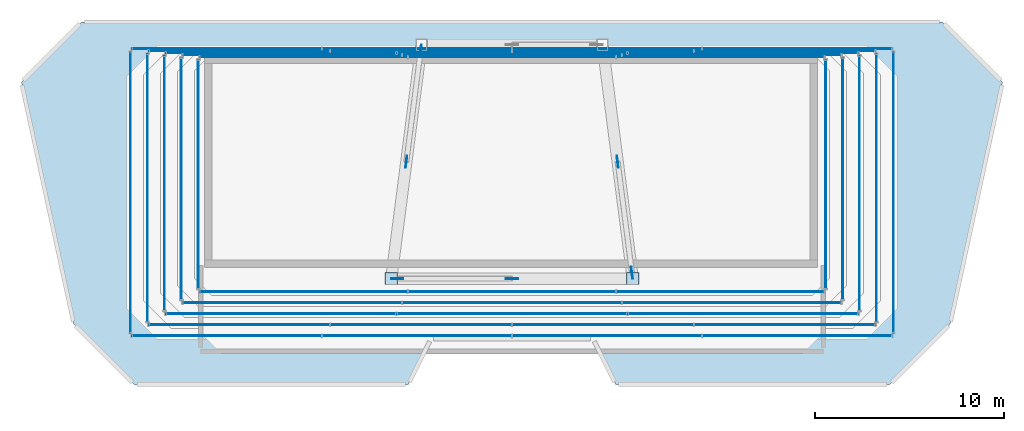
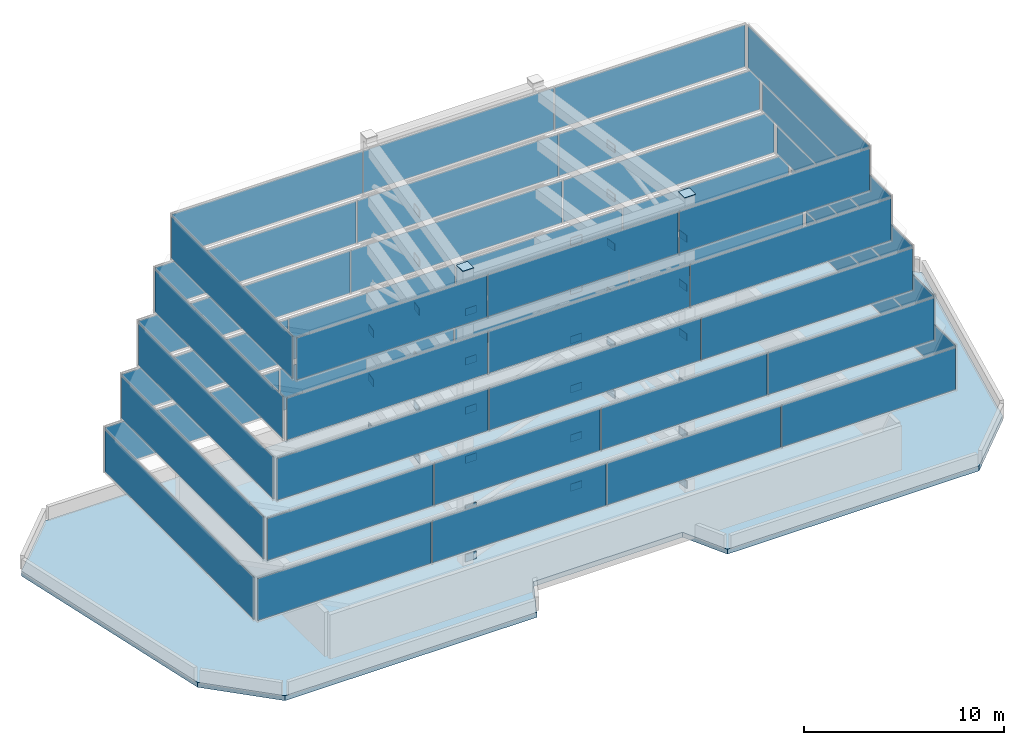
# One storey, part 27 of 29: 79 plates, 1 slab, 20 elements without a shape of their own.
"""IFC4 building model written with IfcOpenShell, lengths in metres."""

from ifc_helpers import new_model, si_unit, direction, frame, origin, origin_2d, place, context, subcontext, project, spatial, polyline, rectangle, outline, extrude, material, layer, layer_set, type_object, element, aggregate, save


model = new_model("IFC4")

# Units and contexts
model_context = context("Model", 3, precision=1e-05, world=origin(), true_north=direction((0.0, 1.0)))
body_context = subcontext(model_context, "Body", "Model", "MODEL_VIEW")
ifc_project = project(units=[si_unit("LENGTHUNIT", "METRE"), si_unit("AREAUNIT", "SQUARE_METRE"), si_unit("VOLUMEUNIT", "CUBIC_METRE"), si_unit("PLANEANGLEUNIT", "RADIAN"), si_unit("MASSUNIT", "GRAM", prefix="KILO")], contexts=[model_context])

# Site, building, storey
site_placement = place(None, origin())
site = spatial("IfcSite", under=ifc_project, at=site_placement, CompositionType="ELEMENT")
building_placement = place(site_placement, origin())
building = spatial("IfcBuilding", under=site, at=building_placement, Name="Saevonmaru Cultural Tower", CompositionType="ELEMENT")
storey_placement = place(building_placement, frame((0.0, 0.0, 327.60009765625)))
storey = spatial("IfcBuildingStorey", under=building, at=storey_placement, Name="RF", CompositionType="ELEMENT", Elevation=327.60009765625)

# Plates
ifc_material_1 = material(Name="Steel HSA600 (600 MPa)", Category="steel")
ifc_layer_1 = layer(ifc_material_1, 0.0400390625, Name="Steel HSA600 (600 MPa)")
ifc_layer_set_1 = layer_set([ifc_layer_1], Name="Steel HSA600 (600 MPa)")
plate_type_1 = type_object("IfcPlateType", Name="PL-CAP-CROWN-600", PredefinedType="USERDEFINED", material=ifc_layer_set_1)
for number, where, z_axis, x_axis, name in (
    (1, (23.60009765625, 42.39990234375, 17.994873046875), (0.0, 0.0, 1.0), (1.0, 0.0, 0.0), "RF Crown Frame Cap Plate T6-1"),
    (2, (36.39990234375, 42.39990234375, 17.994873046875), (0.0, 0.0, 1.0), (1.0, 0.0, 0.0), "RF Crown Frame Cap Plate T6-2"),
):
    element("IfcPlate", number, at=place(storey_placement, frame(where, z_axis=z_axis, x_axis=x_axis)), inside=storey, type_object=plate_type_1, Name=name, ObjectType="CAP_PLATE", PredefinedType="USERDEFINED", context=body_context, shape_type="SweptSolid", body=[
        extrude(rectangle(XDim=0.639892578125, YDim=0.639892578125, at=origin_2d()), origin(), (0.0, 0.0, 1.0), 0.0400390625),
    ])
ifc_layer_2 = layer(ifc_material_1, 0.0400390625, Name="Steel HSA600 (600 MPa)")
ifc_layer_set_2 = layer_set([ifc_layer_2], Name="Steel HSA600 (600 MPa)")
plate_type_2 = type_object("IfcPlateType", Name="PL-GUSSET-EXT", PredefinedType="USERDEFINED", material=ifc_layer_set_2)
for number, where, z_axis, x_axis, name in (
    (3, (23.919921875, 42.39990234375, 0.0), (0.0, 0.0, 1.0), (1.0, 0.0, 0.0), "RF Crown Frame Gusset Plate T1-1-B"),
    (4, (30.0, 42.39990234375, 2.179931640625), (0.0, 0.0, 1.0), (1.0, 0.0, 0.0), "RF Crown Frame Gusset Plate T1-1-T"),
    (5, (36.35888671875, 42.717041015625, 0.0), (0.0, 0.0, 1.0), (-0.127964770988, 0.991778713921, 0.0), "RF Crown Frame Gusset Plate T1-2-B"),
    (6, (35.60009765625, 48.60009765625, 2.179931640625), (0.0, 0.0, 1.0), (-0.127964770988, 0.991778713921, 0.0), "RF Crown Frame Gusset Plate T1-2-T"),
    (7, (25.158935546875, 54.48291015625, 0.0), (0.0, 0.0, 1.0), (-0.127964770988, -0.991778713921, 0.0), "RF Crown Frame Gusset Plate T1-4-B"),
    (8, (24.39990234375, 48.60009765625, 2.179931640625), (0.0, 0.0, 1.0), (-0.127964770988, -0.991778713921, 0.0), "RF Crown Frame Gusset Plate T1-4-T"),
    (9, (23.919921875, 42.39990234375, 3.0), (0.0, 0.0, 1.0), (1.0, 0.0, 0.0), "RF Crown Frame Gusset Plate T2-1-B"),
    (10, (30.0, 42.39990234375, 5.179931640625), (0.0, 0.0, 1.0), (1.0, 0.0, 0.0), "RF Crown Frame Gusset Plate T2-1-T"),
    (11, (36.35888671875, 42.717041015625, 3.0), (0.0, 0.0, 1.0), (-0.127964770988, 0.991778713921, 0.0), "RF Crown Frame Gusset Plate T2-2-B"),
    (12, (35.60009765625, 48.60009765625, 5.179931640625), (0.0, 0.0, 1.0), (-0.127964770988, 0.991778713921, 0.0), "RF Crown Frame Gusset Plate T2-2-T"),
    (13, (25.158935546875, 54.48291015625, 3.0), (0.0, 0.0, 1.0), (-0.127964770988, -0.991778713921, 0.0), "RF Crown Frame Gusset Plate T2-4-B"),
    (14, (24.39990234375, 48.60009765625, 5.179931640625), (0.0, 0.0, 1.0), (-0.127964770988, -0.991778713921, 0.0), "RF Crown Frame Gusset Plate T2-4-T"),
    (15, (23.919921875, 42.39990234375, 6.0), (0.0, 0.0, 1.0), (1.0, 0.0, 0.0), "RF Crown Frame Gusset Plate T3-1-B"),
    (16, (30.0, 42.39990234375, 8.179931640625), (0.0, 0.0, 1.0), (1.0, 0.0, 0.0), "RF Crown Frame Gusset Plate T3-1-T"),
    (17, (36.35888671875, 42.717041015625, 6.0), (0.0, 0.0, 1.0), (-0.127964770988, 0.991778713921, 0.0), "RF Crown Frame Gusset Plate T3-2-B"),
    (18, (35.60009765625, 48.60009765625, 8.179931640625), (0.0, 0.0, 1.0), (-0.127964770988, 0.991778713921, 0.0), "RF Crown Frame Gusset Plate T3-2-T"),
    (19, (25.158935546875, 54.48291015625, 6.0), (0.0, 0.0, 1.0), (-0.127964770988, -0.991778713921, 0.0), "RF Crown Frame Gusset Plate T3-4-B"),
    (20, (24.39990234375, 48.60009765625, 8.179931640625), (0.0, 0.0, 1.0), (-0.127964770988, -0.991778713921, 0.0), "RF Crown Frame Gusset Plate T3-4-T"),
    (21, (23.919921875, 42.39990234375, 9.0), (0.0, 0.0, 1.0), (1.0, 0.0, 0.0), "RF Crown Frame Gusset Plate T4-1-B"),
    (22, (30.0, 42.39990234375, 11.179931640625), (0.0, 0.0, 1.0), (1.0, 0.0, 0.0), "RF Crown Frame Gusset Plate T4-1-T"),
    (23, (36.35888671875, 42.717041015625, 9.0), (0.0, 0.0, 1.0), (-0.127964770988, 0.991778713921, 0.0), "RF Crown Frame Gusset Plate T4-2-B"),
    (24, (35.60009765625, 48.60009765625, 11.179931640625), (0.0, 0.0, 1.0), (-0.127964770988, 0.991778713921, 0.0), "RF Crown Frame Gusset Plate T4-2-T"),
    (25, (24.39990234375, 48.60009765625, 11.179931640625), (0.0, 0.0, 1.0), (-0.127964770988, -0.991778713921, 0.0), "RF Crown Frame Gusset Plate T4-4-T"),
    (26, (23.919921875, 42.39990234375, 12.0), (0.0, 0.0, 1.0), (1.0, 0.0, 0.0), "RF Crown Frame Gusset Plate T5-1-B"),
    (27, (30.0, 42.39990234375, 14.179931640625), (0.0, 0.0, 1.0), (1.0, 0.0, 0.0), "RF Crown Frame Gusset Plate T5-1-T"),
    (28, (36.35888671875, 42.717041015625, 12.0), (0.0, 0.0, 1.0), (-0.127964770988, 0.991778713921, 0.0), "RF Crown Frame Gusset Plate T5-2-B"),
    (29, (35.60009765625, 48.60009765625, 14.179931640625), (0.0, 0.0, 1.0), (-0.127964770988, 0.991778713921, 0.0), "RF Crown Frame Gusset Plate T5-2-T"),
    (30, (24.39990234375, 48.60009765625, 14.179931640625), (0.0, 0.0, 1.0), (-0.127964770988, -0.991778713921, 0.0), "RF Crown Frame Gusset Plate T5-4-T"),
    (31, (23.919921875, 42.39990234375, 15.0), (0.0, 0.0, 1.0), (1.0, 0.0, 0.0), "RF Crown Frame Gusset Plate T6-1-B"),
    (32, (30.0, 42.39990234375, 17.179931640625), (0.0, 0.0, 1.0), (1.0, 0.0, 0.0), "RF Crown Frame Gusset Plate T6-1-T"),
    (33, (36.35888671875, 42.717041015625, 15.0), (0.0, 0.0, 1.0), (-0.127964770988, 0.991778713921, 0.0), "RF Crown Frame Gusset Plate T6-2-B"),
    (34, (35.60009765625, 48.60009765625, 17.179931640625), (0.0, 0.0, 1.0), (-0.127964770988, 0.991778713921, 0.0), "RF Crown Frame Gusset Plate T6-2-T"),
    (35, (24.39990234375, 48.60009765625, 17.179931640625), (0.0, 0.0, 1.0), (-0.127964770988, -0.991778713921, 0.0), "RF Crown Frame Gusset Plate T6-4-T"),
):
    element("IfcPlate", number, at=place(storey_placement, frame(where, z_axis=z_axis, x_axis=x_axis)), inside=storey, type_object=plate_type_2, Name=name, ObjectType="GUSSET_PLATE", PredefinedType="USERDEFINED", context=body_context, shape_type="SweptSolid", body=[
        extrude(rectangle(XDim=0.639892578125, YDim=0.0400390625, at=origin_2d()), origin(), (0.0, 0.0, 1.0), 0.43994140625),
    ])

# Curtain wall, plates
ifc_material_2 = material(Name="Satin Bronze Anodised Aluminium", Category="aluminium")
curtain_wall_type = type_object("IfcCurtainWallType", Name="CW-TYP-B", PredefinedType="NOTDEFINED", material=ifc_material_2)
curtain_wall_1_placement = place(storey_placement, origin())
curtain_wall_1 = element("IfcCurtainWall", 36, at=curtain_wall_1_placement, inside=storey, type_object=curtain_wall_type, Name="RF Ziggurat Crown Tier 2 Bronze Louvre Screen 1", PredefinedType="NOTDEFINED")
ifc_layer_3 = layer(ifc_material_2, 0.074951171875, Name="Satin Bronze Anodised Aluminium")
ifc_layer_set_3 = layer_set([ifc_layer_3], Name="Satin Bronze Anodised Aluminium")
plate_type_3 = type_object("IfcPlateType", Name="PN-LOUVRE-CROWN", PredefinedType="CURTAIN_PANEL", material=ifc_layer_set_3)
plate_1_placement = place(storey_placement, frame((14.874755859375, 39.3701171875, 3.06689453125), z_axis=(0.0, 0.0, 1.0), x_axis=(1.0, 0.0, 0.0)))
plate_1 = element("IfcPlate", 37, at=plate_1_placement, type_object=plate_type_3, Name="CW-CROWN-T2-1 panel 1.1", PredefinedType="CURTAIN_PANEL", context=body_context, shape_type="SweptSolid", body=[
    extrude(rectangle(XDim=10.014404296875, YDim=0.035888671875, at=origin_2d()), origin(), (0.0, 0.0, 1.0), 2.56591796875),
])
plate_2_placement = place(storey_placement, frame((24.958251953125, 39.3701171875, 3.06689453125), z_axis=(0.0, 0.0, 1.0), x_axis=(1.0, 0.0, 0.0)))
plate_2 = element("IfcPlate", 38, at=plate_2_placement, type_object=plate_type_3, Name="CW-CROWN-T2-1 panel 2.1", PredefinedType="CURTAIN_PANEL", context=body_context, shape_type="SweptSolid", body=[
    extrude(rectangle(XDim=10.014404296875, YDim=0.035888671875, at=origin_2d()), origin(), (0.0, 0.0, 1.0), 2.56591796875),
])
plate_3_placement = place(storey_placement, frame((35.041748046875, 39.3701171875, 3.06689453125), z_axis=(0.0, 0.0, 1.0), x_axis=(1.0, 0.0, 0.0)))
plate_3 = element("IfcPlate", 39, at=plate_3_placement, type_object=plate_type_3, Name="CW-CROWN-T2-1 panel 3.1", PredefinedType="CURTAIN_PANEL", context=body_context, shape_type="SweptSolid", body=[
    extrude(rectangle(XDim=10.014404296875, YDim=0.035888671875, at=origin_2d()), origin(), (0.0, 0.0, 1.0), 2.56591796875),
])
plate_4_placement = place(storey_placement, frame((45.125244140625, 39.3701171875, 3.06689453125), z_axis=(0.0, 0.0, 1.0), x_axis=(1.0, 0.0, 0.0)))
plate_4 = element("IfcPlate", 40, at=plate_4_placement, type_object=plate_type_3, Name="CW-CROWN-T2-1 panel 4.1", PredefinedType="CURTAIN_PANEL", context=body_context, shape_type="SweptSolid", body=[
    extrude(rectangle(XDim=10.014404296875, YDim=0.035888671875, at=origin_2d()), origin(), (0.0, 0.0, 1.0), 2.56591796875),
])
aggregate(curtain_wall_1, [plate_1, plate_2, plate_3, plate_4])

# Curtain wall, plate
curtain_wall_2_placement = place(storey_placement, origin())
curtain_wall_2 = element("IfcCurtainWall", 41, at=curtain_wall_2_placement, inside=storey, type_object=curtain_wall_type, Name="RF Ziggurat Crown Tier 2 Bronze Louvre Screen 2", PredefinedType="NOTDEFINED")
plate_5_placement = place(storey_placement, frame((50.22705078125, 46.97705078125, 3.06689453125), z_axis=(0.0, 0.0, 1.0), x_axis=(0.0, 1.0, 0.0)))
plate_5 = element("IfcPlate", 42, at=plate_5_placement, type_object=plate_type_3, Name="CW-CROWN-T2-2 panel 1.1", PredefinedType="CURTAIN_PANEL", context=body_context, shape_type="SweptSolid", body=[
    extrude(rectangle(XDim=14.864990234375, YDim=0.035888671875, at=origin_2d()), origin(), (0.0, 0.0, 1.0), 2.56591796875),
])
aggregate(curtain_wall_2, [plate_5])

# Curtain wall, plates
curtain_wall_3_placement = place(storey_placement, origin())
curtain_wall_3 = element("IfcCurtainWall", 43, at=curtain_wall_3_placement, inside=storey, type_object=curtain_wall_type, Name="RF Ziggurat Crown Tier 2 Bronze Louvre Screen 3", PredefinedType="NOTDEFINED")
plate_6_placement = place(storey_placement, frame((45.125244140625, 54.583984375, 3.06689453125), z_axis=(0.0, 0.0, 1.0), x_axis=(-1.0, 0.0, 0.0)))
plate_6 = element("IfcPlate", 44, at=plate_6_placement, type_object=plate_type_3, Name="CW-CROWN-T2-3 panel 1.1", PredefinedType="CURTAIN_PANEL", context=body_context, shape_type="SweptSolid", body=[
    extrude(rectangle(XDim=10.014404296875, YDim=0.035888671875, at=origin_2d()), origin(), (0.0, 0.0, 1.0), 2.56591796875),
])
plate_7_placement = place(storey_placement, frame((35.041748046875, 54.583984375, 3.06689453125), z_axis=(0.0, 0.0, 1.0), x_axis=(-1.0, 0.0, 0.0)))
plate_7 = element("IfcPlate", 45, at=plate_7_placement, type_object=plate_type_3, Name="CW-CROWN-T2-3 panel 2.1", PredefinedType="CURTAIN_PANEL", context=body_context, shape_type="SweptSolid", body=[
    extrude(rectangle(XDim=10.014404296875, YDim=0.035888671875, at=origin_2d()), origin(), (0.0, 0.0, 1.0), 2.56591796875),
])
plate_8_placement = place(storey_placement, frame((24.958251953125, 54.583984375, 3.06689453125), z_axis=(0.0, 0.0, 1.0), x_axis=(-1.0, 0.0, 0.0)))
plate_8 = element("IfcPlate", 46, at=plate_8_placement, type_object=plate_type_3, Name="CW-CROWN-T2-3 panel 3.1", PredefinedType="CURTAIN_PANEL", context=body_context, shape_type="SweptSolid", body=[
    extrude(rectangle(XDim=10.014404296875, YDim=0.035888671875, at=origin_2d()), origin(), (0.0, 0.0, 1.0), 2.56591796875),
])
plate_9_placement = place(storey_placement, frame((14.874755859375, 54.583984375, 3.06689453125), z_axis=(0.0, 0.0, 1.0), x_axis=(-1.0, 0.0, 0.0)))
plate_9 = element("IfcPlate", 47, at=plate_9_placement, type_object=plate_type_3, Name="CW-CROWN-T2-3 panel 4.1", PredefinedType="CURTAIN_PANEL", context=body_context, shape_type="SweptSolid", body=[
    extrude(rectangle(XDim=10.014404296875, YDim=0.035888671875, at=origin_2d()), origin(), (0.0, 0.0, 1.0), 2.56591796875),
])
aggregate(curtain_wall_3, [plate_6, plate_7, plate_8, plate_9])

# Curtain wall, plate
curtain_wall_4_placement = place(storey_placement, origin())
curtain_wall_4 = element("IfcCurtainWall", 48, at=curtain_wall_4_placement, inside=storey, type_object=curtain_wall_type, Name="RF Ziggurat Crown Tier 2 Bronze Louvre Screen 4", PredefinedType="NOTDEFINED")
plate_10_placement = place(storey_placement, frame((9.77294921875, 46.97705078125, 3.06689453125), z_axis=(0.0, 0.0, 1.0), x_axis=(0.0, -1.0, 0.0)))
plate_10 = element("IfcPlate", 49, at=plate_10_placement, type_object=plate_type_3, Name="CW-CROWN-T2-4 panel 1.1", PredefinedType="CURTAIN_PANEL", context=body_context, shape_type="SweptSolid", body=[
    extrude(rectangle(XDim=14.864990234375, YDim=0.035888671875, at=origin_2d()), origin(), (0.0, 0.0, 1.0), 2.56591796875),
])
aggregate(curtain_wall_4, [plate_10])

# Curtain wall, plates
curtain_wall_5_placement = place(storey_placement, origin())
curtain_wall_5 = element("IfcCurtainWall", 50, at=curtain_wall_5_placement, inside=storey, type_object=curtain_wall_type, Name="RF Ziggurat Crown Tier 3 Bronze Louvre Screen 1", PredefinedType="NOTDEFINED")
plate_11_placement = place(storey_placement, frame((15.5498046875, 39.955078125, 6.06689453125), z_axis=(0.0, 0.0, 1.0), x_axis=(1.0, 0.0, 0.0)))
plate_11 = element("IfcPlate", 51, at=plate_11_placement, type_object=plate_type_3, Name="CW-CROWN-T3-1 panel 1.1", PredefinedType="CURTAIN_PANEL", context=body_context, shape_type="SweptSolid", body=[
    extrude(rectangle(XDim=9.564453125, YDim=0.035888671875, at=origin_2d()), origin(), (0.0, 0.0, 1.0), 2.56591796875),
])
plate_12_placement = place(storey_placement, frame((25.183349609375, 39.955078125, 6.06689453125), z_axis=(0.0, 0.0, 1.0), x_axis=(1.0, 0.0, 0.0)))
plate_12 = element("IfcPlate", 52, at=plate_12_placement, type_object=plate_type_3, Name="CW-CROWN-T3-1 panel 2.1", PredefinedType="CURTAIN_PANEL", context=body_context, shape_type="SweptSolid", body=[
    extrude(rectangle(XDim=9.564453125, YDim=0.035888671875, at=origin_2d()), origin(), (0.0, 0.0, 1.0), 2.56591796875),
])
plate_13_placement = place(storey_placement, frame((34.816650390625, 39.955078125, 6.06689453125), z_axis=(0.0, 0.0, 1.0), x_axis=(1.0, 0.0, 0.0)))
plate_13 = element("IfcPlate", 53, at=plate_13_placement, type_object=plate_type_3, Name="CW-CROWN-T3-1 panel 3.1", PredefinedType="CURTAIN_PANEL", context=body_context, shape_type="SweptSolid", body=[
    extrude(rectangle(XDim=9.564453125, YDim=0.035888671875, at=origin_2d()), origin(), (0.0, 0.0, 1.0), 2.56591796875),
])
plate_14_placement = place(storey_placement, frame((44.4501953125, 39.955078125, 6.06689453125), z_axis=(0.0, 0.0, 1.0), x_axis=(1.0, 0.0, 0.0)))
plate_14 = element("IfcPlate", 54, at=plate_14_placement, type_object=plate_type_3, Name="CW-CROWN-T3-1 panel 4.1", PredefinedType="CURTAIN_PANEL", context=body_context, shape_type="SweptSolid", body=[
    extrude(rectangle(XDim=9.564453125, YDim=0.035888671875, at=origin_2d()), origin(), (0.0, 0.0, 1.0), 2.56591796875),
])
aggregate(curtain_wall_5, [plate_11, plate_12, plate_13, plate_14])

# Curtain wall, plate
curtain_wall_6_placement = place(storey_placement, origin())
curtain_wall_6 = element("IfcCurtainWall", 55, at=curtain_wall_6_placement, inside=storey, type_object=curtain_wall_type, Name="RF Ziggurat Crown Tier 3 Bronze Louvre Screen 2", PredefinedType="NOTDEFINED")
plate_15_placement = place(storey_placement, frame((49.326904296875, 47.215576171875, 6.06689453125), z_axis=(0.0, 0.0, 1.0), x_axis=(0.0, 1.0, 0.0)))
plate_15 = element("IfcPlate", 56, at=plate_15_placement, type_object=plate_type_3, Name="CW-CROWN-T3-2 panel 1.1", PredefinedType="CURTAIN_PANEL", context=body_context, shape_type="SweptSolid", body=[
    extrude(rectangle(XDim=14.172119140625, YDim=0.035888671875, at=origin_2d()), origin(), (0.0, 0.0, 1.0), 2.56591796875),
])
aggregate(curtain_wall_6, [plate_15])

# Curtain wall, plates
curtain_wall_7_placement = place(storey_placement, origin())
curtain_wall_7 = element("IfcCurtainWall", 57, at=curtain_wall_7_placement, inside=storey, type_object=curtain_wall_type, Name="RF Ziggurat Crown Tier 3 Bronze Louvre Screen 3", PredefinedType="NOTDEFINED")
plate_16_placement = place(storey_placement, frame((44.4501953125, 54.47607421875, 6.06689453125), z_axis=(0.0, 0.0, 1.0), x_axis=(-1.0, 0.0, 0.0)))
plate_16 = element("IfcPlate", 58, at=plate_16_placement, type_object=plate_type_3, Name="CW-CROWN-T3-3 panel 1.1", PredefinedType="CURTAIN_PANEL", context=body_context, shape_type="SweptSolid", body=[
    extrude(rectangle(XDim=9.564453125, YDim=0.035888671875, at=origin_2d()), origin(), (0.0, 0.0, 1.0), 2.56591796875),
])
plate_17_placement = place(storey_placement, frame((34.816650390625, 54.47607421875, 6.06689453125), z_axis=(0.0, 0.0, 1.0), x_axis=(-1.0, 0.0, 0.0)))
plate_17 = element("IfcPlate", 59, at=plate_17_placement, type_object=plate_type_3, Name="CW-CROWN-T3-3 panel 2.1", PredefinedType="CURTAIN_PANEL", context=body_context, shape_type="SweptSolid", body=[
    extrude(rectangle(XDim=9.564453125, YDim=0.035888671875, at=origin_2d()), origin(), (0.0, 0.0, 1.0), 2.56591796875),
])
plate_18_placement = place(storey_placement, frame((25.183349609375, 54.47607421875, 6.06689453125), z_axis=(0.0, 0.0, 1.0), x_axis=(-1.0, 0.0, 0.0)))
plate_18 = element("IfcPlate", 60, at=plate_18_placement, type_object=plate_type_3, Name="CW-CROWN-T3-3 panel 3.1", PredefinedType="CURTAIN_PANEL", context=body_context, shape_type="SweptSolid", body=[
    extrude(rectangle(XDim=9.564453125, YDim=0.035888671875, at=origin_2d()), origin(), (0.0, 0.0, 1.0), 2.56591796875),
])
plate_19_placement = place(storey_placement, frame((15.5498046875, 54.47607421875, 6.06689453125), z_axis=(0.0, 0.0, 1.0), x_axis=(-1.0, 0.0, 0.0)))
plate_19 = element("IfcPlate", 61, at=plate_19_placement, type_object=plate_type_3, Name="CW-CROWN-T3-3 panel 4.1", PredefinedType="CURTAIN_PANEL", context=body_context, shape_type="SweptSolid", body=[
    extrude(rectangle(XDim=9.564453125, YDim=0.035888671875, at=origin_2d()), origin(), (0.0, 0.0, 1.0), 2.56591796875),
])
aggregate(curtain_wall_7, [plate_16, plate_17, plate_18, plate_19])

# Curtain wall, plate
curtain_wall_8_placement = place(storey_placement, origin())
curtain_wall_8 = element("IfcCurtainWall", 62, at=curtain_wall_8_placement, inside=storey, type_object=curtain_wall_type, Name="RF Ziggurat Crown Tier 3 Bronze Louvre Screen 4", PredefinedType="NOTDEFINED")
plate_20_placement = place(storey_placement, frame((10.673095703125, 47.215576171875, 6.06689453125), z_axis=(0.0, 0.0, 1.0), x_axis=(0.0, -1.0, 0.0)))
plate_20 = element("IfcPlate", 63, at=plate_20_placement, type_object=plate_type_3, Name="CW-CROWN-T3-4 panel 1.1", PredefinedType="CURTAIN_PANEL", context=body_context, shape_type="SweptSolid", body=[
    extrude(rectangle(XDim=14.172119140625, YDim=0.035888671875, at=origin_2d()), origin(), (0.0, 0.0, 1.0), 2.56591796875),
])
aggregate(curtain_wall_8, [plate_20])

# Curtain wall, plates
curtain_wall_9_placement = place(storey_placement, origin())
curtain_wall_9 = element("IfcCurtainWall", 64, at=curtain_wall_9_placement, inside=storey, type_object=curtain_wall_type, Name="RF Ziggurat Crown Tier 4 Bronze Louvre Screen 1", PredefinedType="NOTDEFINED")
plate_21_placement = place(storey_placement, frame((17.75537109375, 40.5400390625, 9.06689453125), z_axis=(0.0, 0.0, 1.0), x_axis=(1.0, 0.0, 0.0)))
plate_21 = element("IfcPlate", 65, at=plate_21_placement, type_object=plate_type_3, Name="CW-CROWN-T4-1 panel 1.1", PredefinedType="CURTAIN_PANEL", context=body_context, shape_type="SweptSolid", body=[
    extrude(rectangle(XDim=12.17578125, YDim=0.035888671875, at=origin_2d()), origin(), (0.0, 0.0, 1.0), 2.56591796875),
])
plate_22_placement = place(storey_placement, frame((30.0, 40.5400390625, 9.06689453125), z_axis=(0.0, 0.0, 1.0), x_axis=(1.0, 0.0, 0.0)))
plate_22 = element("IfcPlate", 66, at=plate_22_placement, type_object=plate_type_3, Name="CW-CROWN-T4-1 panel 2.1", PredefinedType="CURTAIN_PANEL", context=body_context, shape_type="SweptSolid", body=[
    extrude(rectangle(XDim=12.17578125, YDim=0.035888671875, at=origin_2d()), origin(), (0.0, 0.0, 1.0), 2.56591796875),
])
plate_23_placement = place(storey_placement, frame((42.24462890625, 40.5400390625, 9.06689453125), z_axis=(0.0, 0.0, 1.0), x_axis=(1.0, 0.0, 0.0)))
plate_23 = element("IfcPlate", 67, at=plate_23_placement, type_object=plate_type_3, Name="CW-CROWN-T4-1 panel 3.1", PredefinedType="CURTAIN_PANEL", context=body_context, shape_type="SweptSolid", body=[
    extrude(rectangle(XDim=12.17578125, YDim=0.035888671875, at=origin_2d()), origin(), (0.0, 0.0, 1.0), 2.56591796875),
])
aggregate(curtain_wall_9, [plate_21, plate_22, plate_23])

# Curtain wall, plate
curtain_wall_10_placement = place(storey_placement, origin())
curtain_wall_10 = element("IfcCurtainWall", 68, at=curtain_wall_10_placement, inside=storey, type_object=curtain_wall_type, Name="RF Ziggurat Crown Tier 4 Bronze Louvre Screen 2", PredefinedType="NOTDEFINED")
plate_24_placement = place(storey_placement, frame((48.427001953125, 47.4541015625, 9.06689453125), z_axis=(0.0, 0.0, 1.0), x_axis=(0.0, 1.0, 0.0)))
plate_24 = element("IfcPlate", 69, at=plate_24_placement, type_object=plate_type_3, Name="CW-CROWN-T4-2 panel 1.1", PredefinedType="CURTAIN_PANEL", context=body_context, shape_type="SweptSolid", body=[
    extrude(rectangle(XDim=13.47900390625, YDim=0.035888671875, at=origin_2d()), origin(), (0.0, 0.0, 1.0), 2.56591796875),
])
aggregate(curtain_wall_10, [plate_24])

# Curtain wall, plates
curtain_wall_11_placement = place(storey_placement, origin())
curtain_wall_11 = element("IfcCurtainWall", 70, at=curtain_wall_11_placement, inside=storey, type_object=curtain_wall_type, Name="RF Ziggurat Crown Tier 4 Bronze Louvre Screen 3", PredefinedType="NOTDEFINED")
plate_25_placement = place(storey_placement, frame((42.24462890625, 54.367919921875, 9.06689453125), z_axis=(0.0, 0.0, 1.0), x_axis=(-1.0, 0.0, 0.0)))
plate_25 = element("IfcPlate", 71, at=plate_25_placement, type_object=plate_type_3, Name="CW-CROWN-T4-3 panel 1.1", PredefinedType="CURTAIN_PANEL", context=body_context, shape_type="SweptSolid", body=[
    extrude(rectangle(XDim=12.17578125, YDim=0.035888671875, at=origin_2d()), origin(), (0.0, 0.0, 1.0), 2.56591796875),
])
plate_26_placement = place(storey_placement, frame((30.0, 54.367919921875, 9.06689453125), z_axis=(0.0, 0.0, 1.0), x_axis=(-1.0, 0.0, 0.0)))
plate_26 = element("IfcPlate", 72, at=plate_26_placement, type_object=plate_type_3, Name="CW-CROWN-T4-3 panel 2.1", PredefinedType="CURTAIN_PANEL", context=body_context, shape_type="SweptSolid", body=[
    extrude(rectangle(XDim=12.17578125, YDim=0.035888671875, at=origin_2d()), origin(), (0.0, 0.0, 1.0), 2.56591796875),
])
plate_27_placement = place(storey_placement, frame((17.75537109375, 54.367919921875, 9.06689453125), z_axis=(0.0, 0.0, 1.0), x_axis=(-1.0, 0.0, 0.0)))
plate_27 = element("IfcPlate", 73, at=plate_27_placement, type_object=plate_type_3, Name="CW-CROWN-T4-3 panel 3.1", PredefinedType="CURTAIN_PANEL", context=body_context, shape_type="SweptSolid", body=[
    extrude(rectangle(XDim=12.17578125, YDim=0.035888671875, at=origin_2d()), origin(), (0.0, 0.0, 1.0), 2.56591796875),
])
aggregate(curtain_wall_11, [plate_25, plate_26, plate_27])

# Curtain wall, plate
curtain_wall_12_placement = place(storey_placement, origin())
curtain_wall_12 = element("IfcCurtainWall", 74, at=curtain_wall_12_placement, inside=storey, type_object=curtain_wall_type, Name="RF Ziggurat Crown Tier 4 Bronze Louvre Screen 4", PredefinedType="NOTDEFINED")
plate_28_placement = place(storey_placement, frame((11.572998046875, 47.4541015625, 9.06689453125), z_axis=(0.0, 0.0, 1.0), x_axis=(0.0, -1.0, 0.0)))
plate_28 = element("IfcPlate", 75, at=plate_28_placement, type_object=plate_type_3, Name="CW-CROWN-T4-4 panel 1.1", PredefinedType="CURTAIN_PANEL", context=body_context, shape_type="SweptSolid", body=[
    extrude(rectangle(XDim=13.47900390625, YDim=0.035888671875, at=origin_2d()), origin(), (0.0, 0.0, 1.0), 2.56591796875),
])
aggregate(curtain_wall_12, [plate_28])

# Curtain wall, plates
curtain_wall_13_placement = place(storey_placement, origin())
curtain_wall_13 = element("IfcCurtainWall", 76, at=curtain_wall_13_placement, inside=storey, type_object=curtain_wall_type, Name="RF Ziggurat Crown Tier 5 Bronze Louvre Screen 1", PredefinedType="NOTDEFINED")
plate_29_placement = place(storey_placement, frame((18.355224609375, 41.125, 12.06689453125), z_axis=(0.0, 0.0, 1.0), x_axis=(1.0, 0.0, 0.0)))
plate_29 = element("IfcPlate", 77, at=plate_29_placement, type_object=plate_type_3, Name="CW-CROWN-T5-1 panel 1.1", PredefinedType="CURTAIN_PANEL", context=body_context, shape_type="SweptSolid", body=[
    extrude(rectangle(XDim=11.57568359375, YDim=0.035888671875, at=origin_2d()), origin(), (0.0, 0.0, 1.0), 2.56591796875),
])
plate_30_placement = place(storey_placement, frame((30.0, 41.125, 12.06689453125), z_axis=(0.0, 0.0, 1.0), x_axis=(1.0, 0.0, 0.0)))
plate_30 = element("IfcPlate", 78, at=plate_30_placement, type_object=plate_type_3, Name="CW-CROWN-T5-1 panel 2.1", PredefinedType="CURTAIN_PANEL", context=body_context, shape_type="SweptSolid", body=[
    extrude(rectangle(XDim=11.57568359375, YDim=0.035888671875, at=origin_2d()), origin(), (0.0, 0.0, 1.0), 2.56591796875),
])
plate_31_placement = place(storey_placement, frame((41.644775390625, 41.125, 12.06689453125), z_axis=(0.0, 0.0, 1.0), x_axis=(1.0, 0.0, 0.0)))
plate_31 = element("IfcPlate", 79, at=plate_31_placement, type_object=plate_type_3, Name="CW-CROWN-T5-1 panel 3.1", PredefinedType="CURTAIN_PANEL", context=body_context, shape_type="SweptSolid", body=[
    extrude(rectangle(XDim=11.57568359375, YDim=0.035888671875, at=origin_2d()), origin(), (0.0, 0.0, 1.0), 2.56591796875),
])
aggregate(curtain_wall_13, [plate_29, plate_30, plate_31])

# Curtain wall, plate
curtain_wall_14_placement = place(storey_placement, origin())
curtain_wall_14 = element("IfcCurtainWall", 80, at=curtain_wall_14_placement, inside=storey, type_object=curtain_wall_type, Name="RF Ziggurat Crown Tier 5 Bronze Louvre Screen 2", PredefinedType="NOTDEFINED")
plate_32_placement = place(storey_placement, frame((47.527099609375, 47.6923828125, 12.06689453125), z_axis=(0.0, 0.0, 1.0), x_axis=(0.0, 1.0, 0.0)))
plate_32 = element("IfcPlate", 81, at=plate_32_placement, type_object=plate_type_3, Name="CW-CROWN-T5-2 panel 1.1", PredefinedType="CURTAIN_PANEL", context=body_context, shape_type="SweptSolid", body=[
    extrude(rectangle(XDim=12.785888671875, YDim=0.035888671875, at=origin_2d()), origin(), (0.0, 0.0, 1.0), 2.56591796875),
])
aggregate(curtain_wall_14, [plate_32])

# Curtain wall, plates
curtain_wall_15_placement = place(storey_placement, origin())
curtain_wall_15 = element("IfcCurtainWall", 82, at=curtain_wall_15_placement, inside=storey, type_object=curtain_wall_type, Name="RF Ziggurat Crown Tier 5 Bronze Louvre Screen 3", PredefinedType="NOTDEFINED")
plate_33_placement = place(storey_placement, frame((41.644775390625, 54.260009765625, 12.06689453125), z_axis=(0.0, 0.0, 1.0), x_axis=(-1.0, 0.0, 0.0)))
plate_33 = element("IfcPlate", 83, at=plate_33_placement, type_object=plate_type_3, Name="CW-CROWN-T5-3 panel 1.1", PredefinedType="CURTAIN_PANEL", context=body_context, shape_type="SweptSolid", body=[
    extrude(rectangle(XDim=11.57568359375, YDim=0.035888671875, at=origin_2d()), origin(), (0.0, 0.0, 1.0), 2.56591796875),
])
plate_34_placement = place(storey_placement, frame((30.0, 54.260009765625, 12.06689453125), z_axis=(0.0, 0.0, 1.0), x_axis=(-1.0, 0.0, 0.0)))
plate_34 = element("IfcPlate", 84, at=plate_34_placement, type_object=plate_type_3, Name="CW-CROWN-T5-3 panel 2.1", PredefinedType="CURTAIN_PANEL", context=body_context, shape_type="SweptSolid", body=[
    extrude(rectangle(XDim=11.57568359375, YDim=0.035888671875, at=origin_2d()), origin(), (0.0, 0.0, 1.0), 2.56591796875),
])
plate_35_placement = place(storey_placement, frame((18.355224609375, 54.260009765625, 12.06689453125), z_axis=(0.0, 0.0, 1.0), x_axis=(-1.0, 0.0, 0.0)))
plate_35 = element("IfcPlate", 85, at=plate_35_placement, type_object=plate_type_3, Name="CW-CROWN-T5-3 panel 3.1", PredefinedType="CURTAIN_PANEL", context=body_context, shape_type="SweptSolid", body=[
    extrude(rectangle(XDim=11.57568359375, YDim=0.035888671875, at=origin_2d()), origin(), (0.0, 0.0, 1.0), 2.56591796875),
])
aggregate(curtain_wall_15, [plate_33, plate_34, plate_35])

# Curtain wall, plate
curtain_wall_16_placement = place(storey_placement, origin())
curtain_wall_16 = element("IfcCurtainWall", 86, at=curtain_wall_16_placement, inside=storey, type_object=curtain_wall_type, Name="RF Ziggurat Crown Tier 5 Bronze Louvre Screen 4", PredefinedType="NOTDEFINED")
plate_36_placement = place(storey_placement, frame((12.472900390625, 47.6923828125, 12.06689453125), z_axis=(0.0, 0.0, 1.0), x_axis=(0.0, -1.0, 0.0)))
plate_36 = element("IfcPlate", 87, at=plate_36_placement, type_object=plate_type_3, Name="CW-CROWN-T5-4 panel 1.1", PredefinedType="CURTAIN_PANEL", context=body_context, shape_type="SweptSolid", body=[
    extrude(rectangle(XDim=12.785888671875, YDim=0.035888671875, at=origin_2d()), origin(), (0.0, 0.0, 1.0), 2.56591796875),
])
aggregate(curtain_wall_16, [plate_36])

# Curtain wall, plates
curtain_wall_17_placement = place(storey_placement, origin())
curtain_wall_17 = element("IfcCurtainWall", 88, at=curtain_wall_17_placement, inside=storey, type_object=curtain_wall_type, Name="RF Ziggurat Crown Tier 6 Bronze Louvre Screen 1", PredefinedType="NOTDEFINED")
plate_37_placement = place(storey_placement, frame((18.955322265625, 41.7099609375, 15.06689453125), z_axis=(0.0, 0.0, 1.0), x_axis=(1.0, 0.0, 0.0)))
plate_37 = element("IfcPlate", 89, at=plate_37_placement, type_object=plate_type_3, Name="CW-CROWN-T6-1 panel 1.1", PredefinedType="CURTAIN_PANEL", context=body_context, shape_type="SweptSolid", body=[
    extrude(rectangle(XDim=10.9755859375, YDim=0.035888671875, at=origin_2d()), origin(), (0.0, 0.0, 1.0), 2.56591796875),
])
plate_38_placement = place(storey_placement, frame((30.0, 41.7099609375, 15.06689453125), z_axis=(0.0, 0.0, 1.0), x_axis=(1.0, 0.0, 0.0)))
plate_38 = element("IfcPlate", 90, at=plate_38_placement, type_object=plate_type_3, Name="CW-CROWN-T6-1 panel 2.1", PredefinedType="CURTAIN_PANEL", context=body_context, shape_type="SweptSolid", body=[
    extrude(rectangle(XDim=10.9755859375, YDim=0.035888671875, at=origin_2d()), origin(), (0.0, 0.0, 1.0), 2.56591796875),
])
plate_39_placement = place(storey_placement, frame((41.044677734375, 41.7099609375, 15.06689453125), z_axis=(0.0, 0.0, 1.0), x_axis=(1.0, 0.0, 0.0)))
plate_39 = element("IfcPlate", 91, at=plate_39_placement, type_object=plate_type_3, Name="CW-CROWN-T6-1 panel 3.1", PredefinedType="CURTAIN_PANEL", context=body_context, shape_type="SweptSolid", body=[
    extrude(rectangle(XDim=10.9755859375, YDim=0.035888671875, at=origin_2d()), origin(), (0.0, 0.0, 1.0), 2.56591796875),
])
aggregate(curtain_wall_17, [plate_37, plate_38, plate_39])

# Curtain wall, plate
curtain_wall_18_placement = place(storey_placement, origin())
curtain_wall_18 = element("IfcCurtainWall", 92, at=curtain_wall_18_placement, inside=storey, type_object=curtain_wall_type, Name="RF Ziggurat Crown Tier 6 Bronze Louvre Screen 2", PredefinedType="NOTDEFINED")
plate_40_placement = place(storey_placement, frame((46.626953125, 47.930908203125, 15.06689453125), z_axis=(0.0, 0.0, 1.0), x_axis=(0.0, 1.0, 0.0)))
plate_40 = element("IfcPlate", 93, at=plate_40_placement, type_object=plate_type_3, Name="CW-CROWN-T6-2 panel 1.1", PredefinedType="CURTAIN_PANEL", context=body_context, shape_type="SweptSolid", body=[
    extrude(rectangle(XDim=12.093017578125, YDim=0.035888671875, at=origin_2d()), origin(), (0.0, 0.0, 1.0), 2.56591796875),
])
aggregate(curtain_wall_18, [plate_40])

# Curtain wall, plates
curtain_wall_19_placement = place(storey_placement, origin())
curtain_wall_19 = element("IfcCurtainWall", 94, at=curtain_wall_19_placement, inside=storey, type_object=curtain_wall_type, Name="RF Ziggurat Crown Tier 6 Bronze Louvre Screen 3", PredefinedType="NOTDEFINED")
plate_41_placement = place(storey_placement, frame((41.044677734375, 54.152099609375, 15.06689453125), z_axis=(0.0, 0.0, 1.0), x_axis=(-1.0, 0.0, 0.0)))
plate_41 = element("IfcPlate", 95, at=plate_41_placement, type_object=plate_type_3, Name="CW-CROWN-T6-3 panel 1.1", PredefinedType="CURTAIN_PANEL", context=body_context, shape_type="SweptSolid", body=[
    extrude(rectangle(XDim=10.9755859375, YDim=0.035888671875, at=origin_2d()), origin(), (0.0, 0.0, 1.0), 2.56591796875),
])
plate_42_placement = place(storey_placement, frame((30.0, 54.152099609375, 15.06689453125), z_axis=(0.0, 0.0, 1.0), x_axis=(-1.0, 0.0, 0.0)))
plate_42 = element("IfcPlate", 96, at=plate_42_placement, type_object=plate_type_3, Name="CW-CROWN-T6-3 panel 2.1", PredefinedType="CURTAIN_PANEL", context=body_context, shape_type="SweptSolid", body=[
    extrude(rectangle(XDim=10.9755859375, YDim=0.035888671875, at=origin_2d()), origin(), (0.0, 0.0, 1.0), 2.56591796875),
])
plate_43_placement = place(storey_placement, frame((18.955322265625, 54.152099609375, 15.06689453125), z_axis=(0.0, 0.0, 1.0), x_axis=(-1.0, 0.0, 0.0)))
plate_43 = element("IfcPlate", 97, at=plate_43_placement, type_object=plate_type_3, Name="CW-CROWN-T6-3 panel 3.1", PredefinedType="CURTAIN_PANEL", context=body_context, shape_type="SweptSolid", body=[
    extrude(rectangle(XDim=10.9755859375, YDim=0.035888671875, at=origin_2d()), origin(), (0.0, 0.0, 1.0), 2.56591796875),
])
aggregate(curtain_wall_19, [plate_41, plate_42, plate_43])

# Curtain wall, plate
curtain_wall_20_placement = place(storey_placement, origin())
curtain_wall_20 = element("IfcCurtainWall", 98, at=curtain_wall_20_placement, inside=storey, type_object=curtain_wall_type, Name="RF Ziggurat Crown Tier 6 Bronze Louvre Screen 4", PredefinedType="NOTDEFINED")
plate_44_placement = place(storey_placement, frame((13.373046875, 47.930908203125, 15.06689453125), z_axis=(0.0, 0.0, 1.0), x_axis=(0.0, -1.0, 0.0)))
plate_44 = element("IfcPlate", 99, at=plate_44_placement, type_object=plate_type_3, Name="CW-CROWN-T6-4 panel 1.1", PredefinedType="CURTAIN_PANEL", context=body_context, shape_type="SweptSolid", body=[
    extrude(rectangle(XDim=12.093017578125, YDim=0.035888671875, at=origin_2d()), origin(), (0.0, 0.0, 1.0), 2.56591796875),
])
aggregate(curtain_wall_20, [plate_44])

# Slab
ifc_material_3 = material(Name="Concrete C40/50", Category="concrete")
ifc_layer_4 = layer(ifc_material_3, 0.300048828125, Name="Concrete C40/50")
ifc_layer_set_4 = layer_set([ifc_layer_4], Name="Concrete C40/50")
slab_type = type_object("IfcSlabType", Name="SL-ROOF-300", PredefinedType="ROOF", material=ifc_layer_set_4)
slab_placement = place(storey_placement, frame((0.0, 0.0, -0.300048828125)))
element("IfcSlab", 100, at=slab_placement, inside=storey, type_object=slab_type, Name="RF Main Tower Roof Deck Slab", PredefinedType="ROOF", context=body_context, shape_type="SweptSolid", body=[
    extrude(outline(polyline([(9.973388671875, 36.800048828125), (24.5, 36.800048828125), (25.699951171875, 39.199951171875), (34.300048828125, 39.199951171875), (35.5, 36.800048828125), (50.026611328125, 36.800048828125), (53.226806640625, 40.0), (56.0, 52.800048828125), (52.800048828125, 56.0), (7.199951171875, 56.0), (4.0, 52.800048828125), (6.773193359375, 40.0), (9.973388671875, 36.800048828125)])), origin(), (0.0, 0.0, 1.0), 0.300048828125),
])

save(model, "model.ifc")
